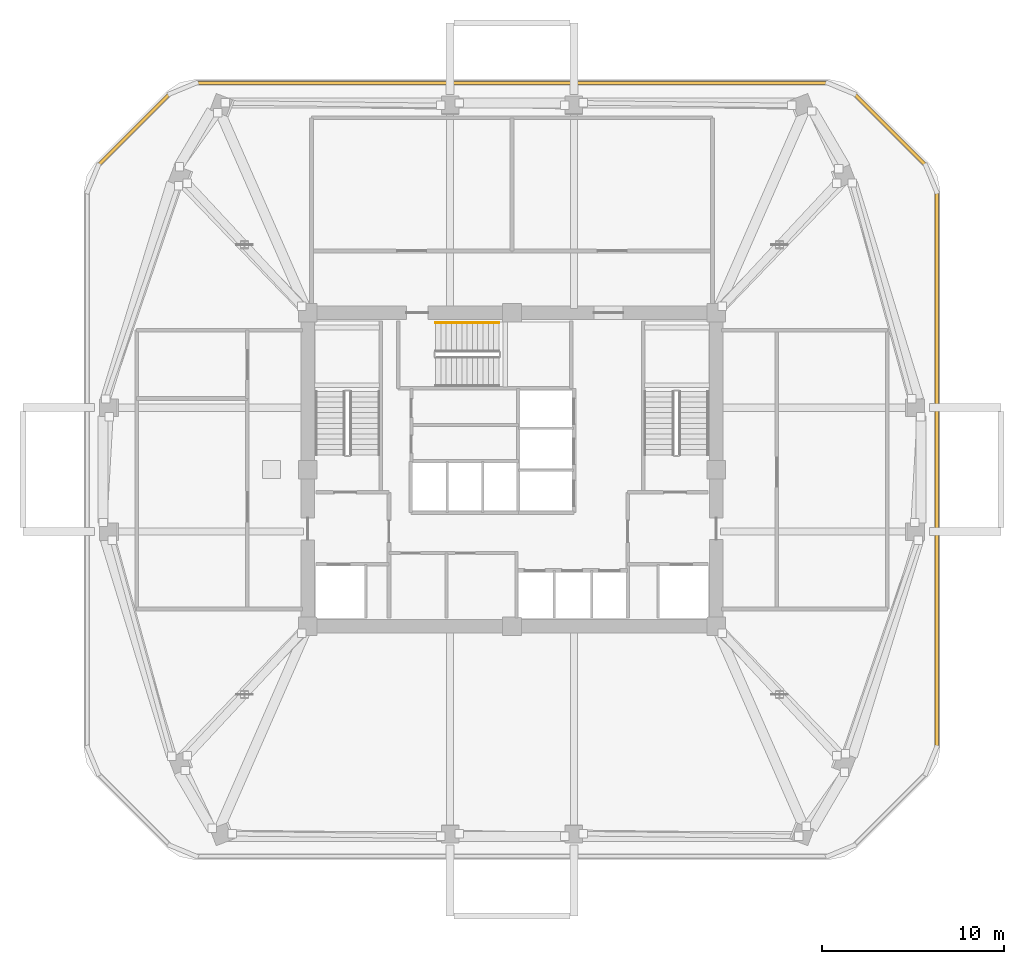
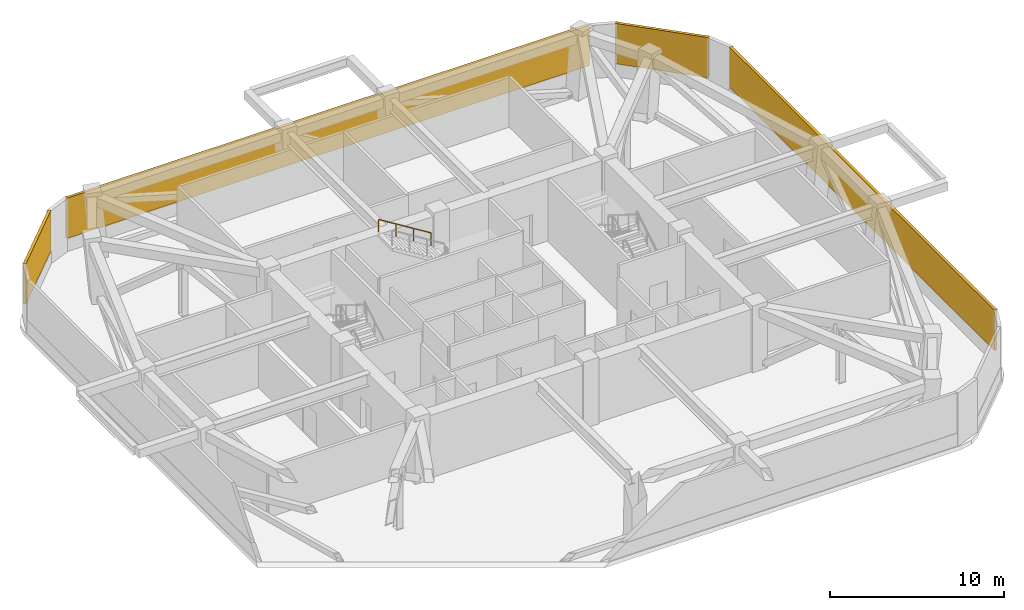
# One storey, part 8 of 8: 4 shading devices, 1 railing.
"""IFC4 building model written with IfcOpenShell, lengths in metres."""

from ifc_helpers import new_model, si_unit, derived_unit, direction, frame, origin, origin_2d, place, context, subcontext, project, spatial, rectangle, extrude, material, layer, layer_set, type_object, element, save


model = new_model("IFC4")

# Units and contexts
model_context = context("Model", 3, precision=1e-05, world=origin(), true_north=direction((0.0, 1.0)))
body_context = subcontext(model_context, "Body", "Model", "MODEL_VIEW")
ifc_project = project(units=[si_unit("LENGTHUNIT", "METRE"), si_unit("AREAUNIT", "SQUARE_METRE"), si_unit("VOLUMEUNIT", "CUBIC_METRE"), si_unit("PLANEANGLEUNIT", "RADIAN"), si_unit("MASSUNIT", "GRAM", prefix="KILO"), derived_unit("THERMALTRANSMITTANCEUNIT", [(si_unit("POWERUNIT", "WATT"), 1), (si_unit("LENGTHUNIT", "METRE"), -2), (si_unit("THERMODYNAMICTEMPERATUREUNIT", "KELVIN"), -1)])], contexts=[model_context])

# Site, building, storey
site_placement = place(None, origin())
site = spatial("IfcSite", under=ifc_project, at=site_placement, CompositionType="ELEMENT")
building_placement = place(site_placement, origin())
building = spatial("IfcBuilding", under=site, at=building_placement, Name="Koralith Skygarden Medical Center", CompositionType="ELEMENT")
storey_placement = place(building_placement, frame((0.0, 0.0, 178.02001953125)))
storey = spatial("IfcBuildingStorey", under=building, at=storey_placement, Name="L46", CompositionType="ELEMENT", Elevation=178.02001953125)

# Shading devices
ifc_material_1 = material(Name="Aluminium 6063-T6", Category="aluminium")
ifc_layer = layer(ifc_material_1, 0.179931640625)
ifc_layer_set = layer_set([ifc_layer], Name="Aluminium 6063-T6")
shading_device_type = type_object("IfcShadingDeviceType", Name="Mechanical Plant Acoustic Hurricane Louvre", PredefinedType="JALOUSIE", material=ifc_layer_set)
shading_device_1_placement = place(storey_placement, frame((60.303955078125, 25.89990234375, 0.89990234375), z_axis=(0.0, 0.0, 1.0), x_axis=(0.0, 1.0, 0.0)))
element("IfcShadingDevice", 1, at=shading_device_1_placement, inside=storey, type_object=shading_device_type, Name="L46 Plant Acoustic Hurricane Louvre E", PredefinedType="JALOUSIE", context=body_context, shape_type="SweptSolid", body=[
    extrude(rectangle(XDim=30.489013671875, YDim=0.179931640625, at=origin_2d()), origin(), (0.0, 0.0, 1.0), 2.830078125),
])
shading_device_2_placement = place(storey_placement, frame((57.741943359375, 44.556884765625, 0.89990234375), z_axis=(0.0, 0.0, 1.0), x_axis=(-0.707106781187, 0.707106781187, 0.0)))
element("IfcShadingDevice", 2, at=shading_device_2_placement, inside=storey, type_object=shading_device_type, Name="L46 Plant Acoustic Hurricane Louvre NE", PredefinedType="JALOUSIE", context=body_context, shape_type="SweptSolid", body=[
    extrude(rectangle(XDim=5.548095703125, YDim=0.179931640625, at=origin_2d()), origin(), (0.0, 0.0, 1.0), 2.830078125),
])
shading_device_3_placement = place(storey_placement, frame((37.0, 47.1201171875, 0.89990234375), z_axis=(0.0, 0.0, 1.0), x_axis=(-1.0, 0.0, 0.0)))
element("IfcShadingDevice", 3, at=shading_device_3_placement, inside=storey, type_object=shading_device_type, Name="L46 Plant Acoustic Hurricane Louvre N", PredefinedType="JALOUSIE", context=body_context, shape_type="SweptSolid", body=[
    extrude(rectangle(XDim=34.656982421875, YDim=0.179931640625, at=origin_2d()), origin(), (0.0, 0.0, 1.0), 2.830078125),
])
shading_device_4_placement = place(storey_placement, frame((16.258056640625, 44.556884765625, 0.89990234375), z_axis=(0.0, 0.0, 1.0), x_axis=(-0.707106781187, -0.707106781187, 0.0)))
element("IfcShadingDevice", 4, at=shading_device_4_placement, inside=storey, type_object=shading_device_type, Name="L46 Plant Acoustic Hurricane Louvre NW", PredefinedType="JALOUSIE", context=body_context, shape_type="SweptSolid", body=[
    extrude(rectangle(XDim=5.548095703125, YDim=0.179931640625, at=origin_2d()), origin(), (0.0, 0.0, 1.0), 2.830078125),
])

# Railing
ifc_material_2 = material(Name="Steel ASTM A500 Grade C", Category="steel")
railing_type = type_object("IfcRailingType", Name="Stair Flight Tubular Handrail 920", PredefinedType="HANDRAIL", material=ifc_material_2)
railing_placement = place(storey_placement, frame((36.280029296875, 33.949951171875, 2.52001953125)))
element("IfcRailing", 5, at=railing_placement, inside=storey, type_object=railing_type, Name="L46 ST3 stair handrail 2", PredefinedType="HANDRAIL", context=body_context, shape_type="SweptSolid", body=[
    extrude(rectangle(XDim=0.050048828125, YDim=0.050048828125, at=origin_2d()), frame((-0.001708984375, 0.0, 0.89599609375), z_axis=(-0.849648454892, 0.0, 0.527349507537), x_axis=(0.0, -1.0, 0.0)), (0.0, 0.0, 1.0), 4.091796875),
    extrude(rectangle(XDim=0.0419921875, YDim=0.0419921875, at=origin_2d()), origin(), (0.0, 0.0, 1.0), 0.867919921875),
    extrude(rectangle(XDim=0.0419921875, YDim=0.0419921875, at=origin_2d()), frame((-1.159912109375, 0.0, 0.719970703125)), (0.0, 0.0, 1.0), 0.867919921875),
    extrude(rectangle(XDim=0.0419921875, YDim=0.0419921875, at=origin_2d()), frame((-2.320068359375, 0.0, 1.43994140625)), (0.0, 0.0, 1.0), 0.867919921875),
    extrude(rectangle(XDim=0.0419921875, YDim=0.0419921875, at=origin_2d()), frame((-3.47998046875, 0.0, 2.159912109375)), (0.0, 0.0, 1.0), 0.867919921875),
])

save(model, "model.ifc")
